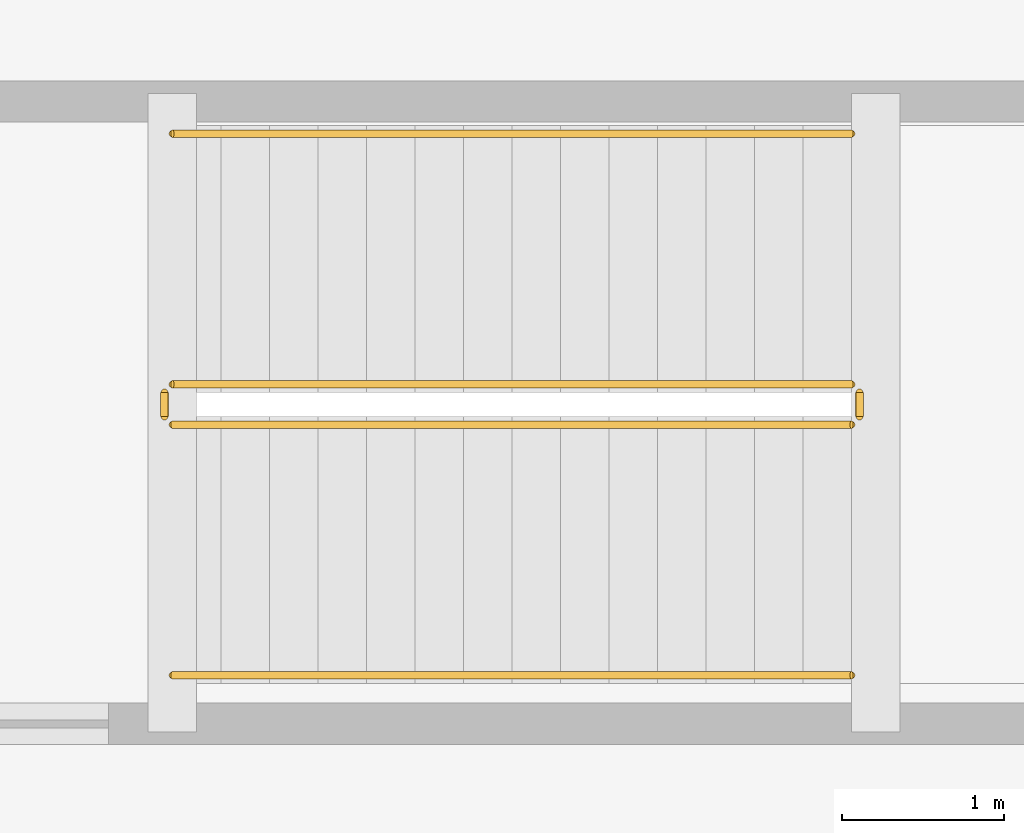
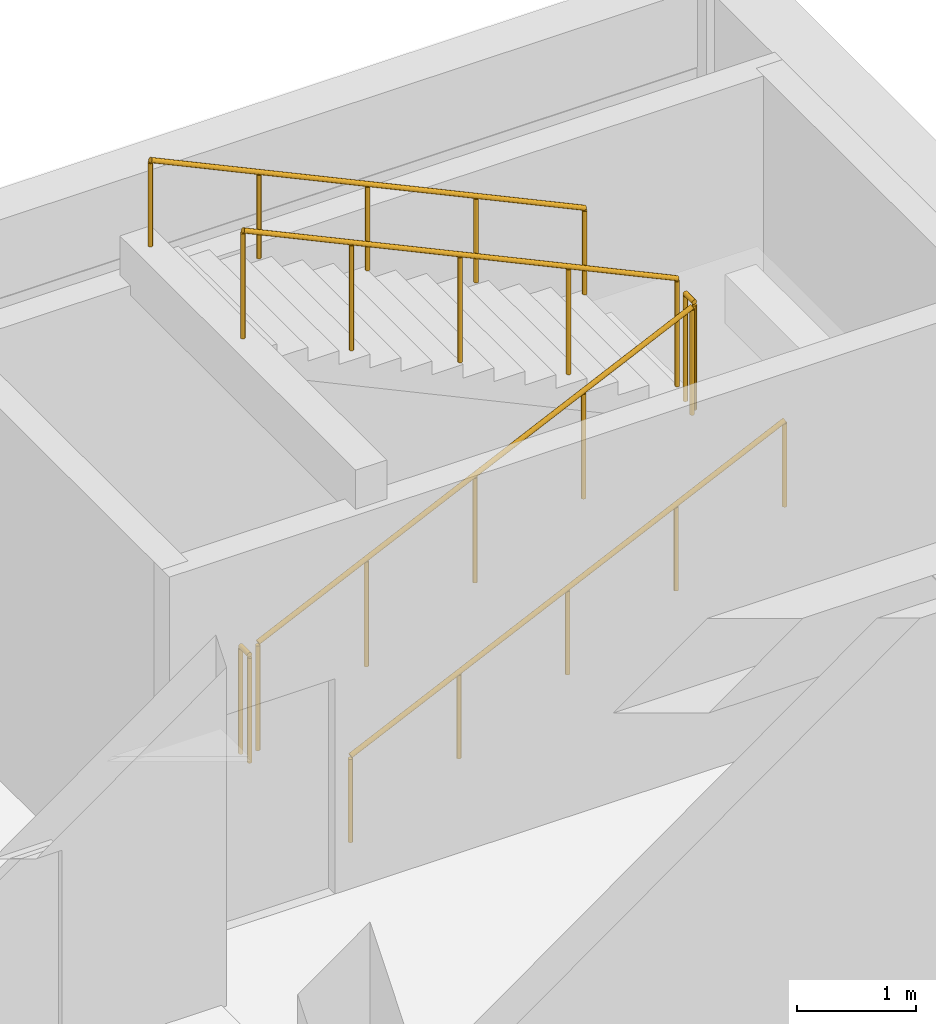
# One storey, part 132 of 132: 6 railings.
"""IFC4 building model written with IfcOpenShell, lengths in metres."""

from ifc_helpers import new_model, si_unit, direction, frame, origin, origin_2d, place, context, subcontext, project, spatial, circle, extrude, material, type_object, element, save


model = new_model("IFC4")

# Units and contexts
model_context = context("Model", 3, precision=1e-05, world=origin(), true_north=direction((0.0, 1.0)))
body_context = subcontext(model_context, "Body", "Model", "MODEL_VIEW")
ifc_project = project(units=[si_unit("LENGTHUNIT", "METRE"), si_unit("AREAUNIT", "SQUARE_METRE"), si_unit("VOLUMEUNIT", "CUBIC_METRE"), si_unit("PLANEANGLEUNIT", "RADIAN"), si_unit("MASSUNIT", "GRAM", prefix="KILO")], contexts=[model_context])

# Site, building, storey
site_placement = place(None, origin())
site = spatial("IfcSite", under=ifc_project, at=site_placement, CompositionType="ELEMENT")
building_placement = place(site_placement, origin())
building = spatial("IfcBuilding", under=site, at=building_placement, Name="Cumbredor Promenade Congress Hotel", CompositionType="ELEMENT")
storey_placement = place(building_placement, frame((0.0, 0.0, 7.56005859375)))
storey = spatial("IfcBuildingStorey", under=building, at=storey_placement, Name="L02", CompositionType="ELEMENT", Elevation=7.56005859375)

# Railings
ifc_material = material(Name="Brushed stainless steel", Category="steel")
railing_type_1 = type_object("IfcRailingType", Name="Interior Void & Stair Guardrail GR-1100", PredefinedType="GUARDRAIL", material=ifc_material)
railing_1_placement = place(storey_placement, frame((169.919921875, 114.14990234375, 0.139892578125)))
element("IfcRailing", 1, at=railing_1_placement, inside=storey, type_object=railing_type_1, Name="L02 ST-16 stair guard 1", PredefinedType="GUARDRAIL", context=body_context, shape_type="SweptSolid", body=[
    extrude(circle(Radius=0.02392578125, at=origin_2d()), frame((0.0, 0.0, 1.09619140625), z_axis=(0.906193905077, 0.0, 0.422862396533), x_axis=(0.0, 1.0, 0.0)), (0.0, 0.0, 1.0), 4.635009765625),
    extrude(circle(Radius=0.02099609375, at=origin_2d()), origin(), (0.0, 0.0, 1.0), 1.072021484375),
    extrude(circle(Radius=0.02099609375, at=origin_2d()), frame((1.050048828125, 0.0, 0.489990234375)), (0.0, 0.0, 1.0), 1.072021484375),
    extrude(circle(Radius=0.02099609375, at=origin_2d()), frame((2.10009765625, 0.0, 0.97998046875)), (0.0, 0.0, 1.0), 1.072021484375),
    extrude(circle(Radius=0.02099609375, at=origin_2d()), frame((3.150146484375, 0.0, 1.469970703125)), (0.0, 0.0, 1.0), 1.072021484375),
    extrude(circle(Radius=0.02099609375, at=origin_2d()), frame((4.2001953125, 0.0, 1.9599609375)), (0.0, 0.0, 1.0), 1.072021484375),
])
railing_2_placement = place(storey_placement, frame((174.169921875, 114.199951171875, 2.099853515625)))
element("IfcRailing", 2, at=railing_2_placement, inside=storey, type_object=railing_type_1, Name="L02 ST-16 stair guard 2", PredefinedType="GUARDRAIL", context=body_context, shape_type="SweptSolid", body=[
    extrude(circle(Radius=0.02392578125, at=origin_2d()), frame((0.0, 0.0, 1.09619140625), z_axis=(0.0, 1.0, 0.0), x_axis=(-1.0, 0.0, 0.0)), (0.0, 0.0, 1.0), 0.150146484375),
    extrude(circle(Radius=0.02099609375, at=origin_2d()), origin(), (0.0, 0.0, 1.0), 1.072021484375),
    extrude(circle(Radius=0.02099609375, at=origin_2d()), frame((0.0, 0.150146484375, 0.0)), (0.0, 0.0, 1.0), 1.072021484375),
])
railing_3_placement = place(storey_placement, frame((174.1201171875, 114.39990234375, 2.239990234375)))
element("IfcRailing", 3, at=railing_3_placement, inside=storey, type_object=railing_type_1, Name="L02 ST-16 stair guard 3", PredefinedType="GUARDRAIL", context=body_context, shape_type="SweptSolid", body=[
    extrude(circle(Radius=0.02392578125, at=origin_2d()), frame((0.0, 0.0, 1.09619140625), z_axis=(-0.906193905077, 0.0, 0.422862396533), x_axis=(0.0, -1.0, 0.0)), (0.0, 0.0, 1.0), 4.635009765625),
    extrude(circle(Radius=0.02099609375, at=origin_2d()), origin(), (0.0, 0.0, 1.0), 1.072021484375),
    extrude(circle(Radius=0.02099609375, at=origin_2d()), frame((-1.050048828125, 0.0, 0.489990234375)), (0.0, 0.0, 1.0), 1.072021484375),
    extrude(circle(Radius=0.02099609375, at=origin_2d()), frame((-2.10009765625, 0.0, 0.97998046875)), (0.0, 0.0, 1.0), 1.072021484375),
    extrude(circle(Radius=0.02099609375, at=origin_2d()), frame((-3.150146484375, 0.0, 1.469970703125)), (0.0, 0.0, 1.0), 1.072021484375),
    extrude(circle(Radius=0.02099609375, at=origin_2d()), frame((-4.2001953125, 0.0, 1.9599609375)), (0.0, 0.0, 1.0), 1.072021484375),
])
railing_4_placement = place(storey_placement, frame((169.8701171875, 114.199951171875, 0.0)))
element("IfcRailing", 4, at=railing_4_placement, inside=storey, type_object=railing_type_1, Name="L02 ST-16 stair guard 4", PredefinedType="GUARDRAIL", context=body_context, shape_type="SweptSolid", body=[
    extrude(circle(Radius=0.02392578125, at=origin_2d()), frame((0.0, 0.0, 1.09619140625), z_axis=(0.0, 1.0, 0.0), x_axis=(-1.0, 0.0, 0.0)), (0.0, 0.0, 1.0), 0.150146484375),
    extrude(circle(Radius=0.02099609375, at=origin_2d()), origin(), (0.0, 0.0, 1.0), 1.072021484375),
    extrude(circle(Radius=0.02099609375, at=origin_2d()), frame((0.0, 0.150146484375, 0.0)), (0.0, 0.0, 1.0), 1.072021484375),
])
railing_type_2 = type_object("IfcRailingType", Name="Stair Pitch Handrail HR-900", PredefinedType="HANDRAIL", material=ifc_material)
railing_5_placement = place(storey_placement, frame((169.919921875, 112.60009765625, 0.139892578125)))
element("IfcRailing", 5, at=railing_5_placement, inside=storey, type_object=railing_type_2, Name="L02 ST-16 stair handrail 1", PredefinedType="HANDRAIL", context=body_context, shape_type="SweptSolid", body=[
    extrude(circle(Radius=0.02392578125, at=origin_2d()), frame((0.0, 0.0, 0.8759765625), z_axis=(0.906193905077, 0.0, 0.422862396533), x_axis=(0.0, 1.0, 0.0)), (0.0, 0.0, 1.0), 4.635009765625),
    extrude(circle(Radius=0.02099609375, at=origin_2d()), origin(), (0.0, 0.0, 1.0), 0.851806640625),
    extrude(circle(Radius=0.02099609375, at=origin_2d()), frame((1.050048828125, 0.0, 0.489990234375)), (0.0, 0.0, 1.0), 0.851806640625),
    extrude(circle(Radius=0.02099609375, at=origin_2d()), frame((2.10009765625, 0.0, 0.97998046875)), (0.0, 0.0, 1.0), 0.851806640625),
    extrude(circle(Radius=0.02099609375, at=origin_2d()), frame((3.150146484375, 0.0, 1.469970703125)), (0.0, 0.0, 1.0), 0.851806640625),
    extrude(circle(Radius=0.02099609375, at=origin_2d()), frame((4.2001953125, 0.0, 1.9599609375)), (0.0, 0.0, 1.0), 0.851806640625),
])
railing_6_placement = place(storey_placement, frame((174.1201171875, 115.949951171875, 2.239990234375)))
element("IfcRailing", 6, at=railing_6_placement, inside=storey, type_object=railing_type_2, Name="L02 ST-16 stair handrail 2", PredefinedType="HANDRAIL", context=body_context, shape_type="SweptSolid", body=[
    extrude(circle(Radius=0.02392578125, at=origin_2d()), frame((0.0, 0.0, 0.8759765625), z_axis=(-0.906193905077, 0.0, 0.422862396533), x_axis=(0.0, -1.0, 0.0)), (0.0, 0.0, 1.0), 4.635009765625),
    extrude(circle(Radius=0.02099609375, at=origin_2d()), origin(), (0.0, 0.0, 1.0), 0.851806640625),
    extrude(circle(Radius=0.02099609375, at=origin_2d()), frame((-1.050048828125, 0.0, 0.489990234375)), (0.0, 0.0, 1.0), 0.851806640625),
    extrude(circle(Radius=0.02099609375, at=origin_2d()), frame((-2.10009765625, 0.0, 0.97998046875)), (0.0, 0.0, 1.0), 0.851806640625),
    extrude(circle(Radius=0.02099609375, at=origin_2d()), frame((-3.150146484375, 0.0, 1.469970703125)), (0.0, 0.0, 1.0), 0.851806640625),
    extrude(circle(Radius=0.02099609375, at=origin_2d()), frame((-4.2001953125, 0.0, 1.9599609375)), (0.0, 0.0, 1.0), 0.851806640625),
])

save(model, "model.ifc")
